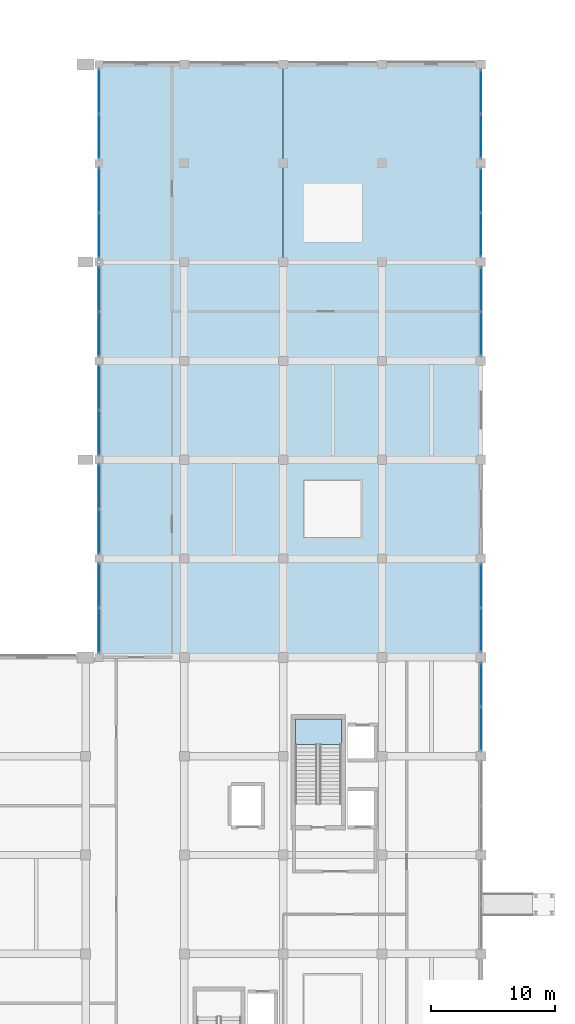
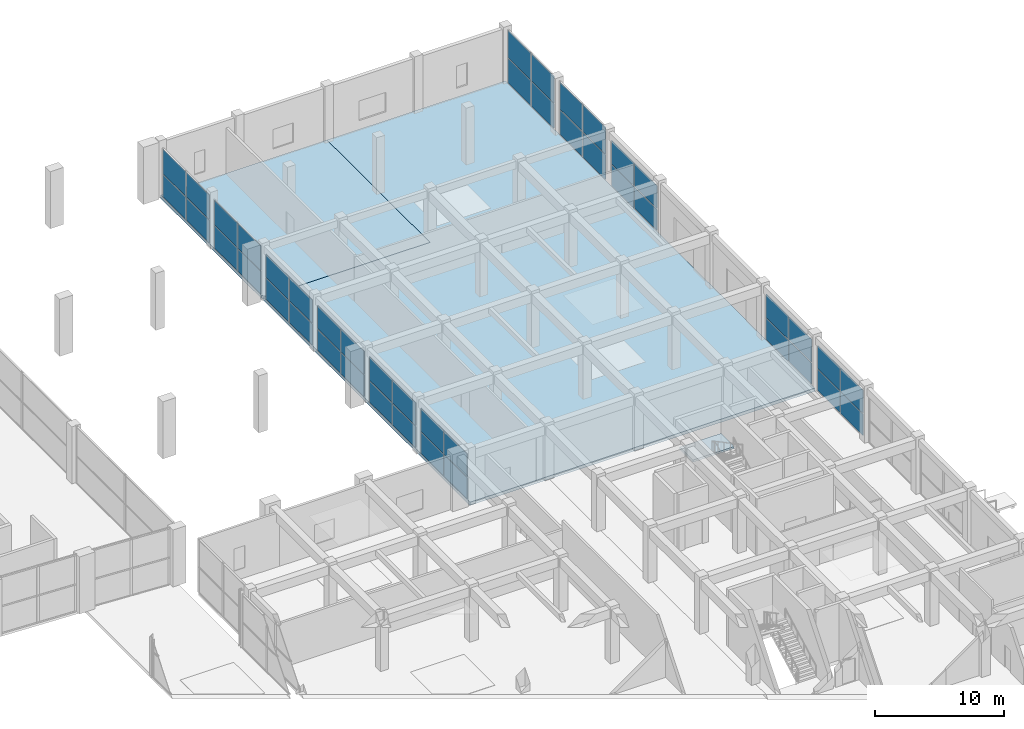
# One storey, part 53 of 86: 44 plates, 3 slabs, 12 elements without a shape of their own.
"""IFC4 building model written with IfcOpenShell, lengths in metres."""

from ifc_helpers import new_model, si_unit, direction, frame, origin, origin_2d, place, context, subcontext, project, spatial, polyline, rectangle, outline, extrude, material, layer, layer_set, type_object, element, aggregate, save


model = new_model("IFC4")

# Units and contexts
model_context = context("Model", 3, precision=1e-05, world=origin(), true_north=direction((0.0, 1.0)))
body_context = subcontext(model_context, "Body", "Model", "MODEL_VIEW")
ifc_project = project(units=[si_unit("LENGTHUNIT", "METRE"), si_unit("AREAUNIT", "SQUARE_METRE"), si_unit("VOLUMEUNIT", "CUBIC_METRE"), si_unit("PLANEANGLEUNIT", "RADIAN"), si_unit("MASSUNIT", "GRAM", prefix="KILO")], contexts=[model_context])

# Site, building, storey
site_placement = place(None, origin())
site = spatial("IfcSite", under=ifc_project, at=site_placement, CompositionType="ELEMENT")
building_placement = place(site_placement, origin())
building = spatial("IfcBuilding", under=site, at=building_placement, Name="Kenh Van Central Station", CompositionType="ELEMENT")
storey_placement = place(building_placement, origin())
storey = spatial("IfcBuildingStorey", under=building, at=storey_placement, Name="L00", CompositionType="ELEMENT", Elevation=0.0)

# Curtain wall, plates
ifc_material_1 = material(Name="Champagne anodised aluminium", Category="aluminium")
curtain_wall_type_1 = type_object("IfcCurtainWallType", Name="CW-OPER-B", PredefinedType="NOTDEFINED", material=ifc_material_1)
curtain_wall_1_placement = place(storey_placement, origin())
curtain_wall_1 = element("IfcCurtainWall", 1, at=curtain_wall_1_placement, inside=storey, type_object=curtain_wall_type_1, Name="L00 curtain wall 063", PredefinedType="NOTDEFINED")
ifc_material_2 = material(Name="Double-glazed low-E laminated solar glass", Category="glass")
ifc_layer_1 = layer(ifc_material_2, 0.030029296875, Name="Double-glazed low-E laminated solar glass")
ifc_layer_set_1 = layer_set([ifc_layer_1], Name="Double-glazed low-E laminated solar glass")
plate_type_1 = type_object("IfcPlateType", Name="CWP-IGU-30", PredefinedType="CURTAIN_PANEL", material=ifc_layer_set_1)
plate_1_placement = place(storey_placement, frame((145.10009765625, 109.8154296875, 0.072265625), z_axis=(0.0, 0.0, 1.0), x_axis=(0.0, -1.0, 0.0)))
plate_1 = element("IfcPlate", 2, at=plate_1_placement, type_object=plate_type_1, Name="CW-08 panel 1.1", PredefinedType="CURTAIN_PANEL", context=body_context, shape_type="SweptSolid", body=[
    extrude(rectangle(XDim=3.54296875, YDim=0.030029296875, at=origin_2d()), origin(), (0.0, 0.0, 1.0), 2.135986328125),
])
plate_2_placement = place(storey_placement, frame((145.10009765625, 109.8154296875, 2.2802734375), z_axis=(0.0, 0.0, 1.0), x_axis=(0.0, -1.0, 0.0)))
plate_2 = element("IfcPlate", 3, at=plate_2_placement, type_object=plate_type_1, Name="CW-08 panel 1.2", PredefinedType="CURTAIN_PANEL", context=body_context, shape_type="SweptSolid", body=[
    extrude(rectangle(XDim=3.54296875, YDim=0.030029296875, at=origin_2d()), origin(), (0.0, 0.0, 1.0), 2.322998046875),
])
plate_3_placement = place(storey_placement, frame((145.10009765625, 106.1845703125, 0.072265625), z_axis=(0.0, 0.0, 1.0), x_axis=(0.0, -1.0, 0.0)))
plate_3 = element("IfcPlate", 4, at=plate_3_placement, type_object=plate_type_1, Name="CW-08 panel 2.1", PredefinedType="CURTAIN_PANEL", context=body_context, shape_type="SweptSolid", body=[
    extrude(rectangle(XDim=3.54296875, YDim=0.030029296875, at=origin_2d()), origin(), (0.0, 0.0, 1.0), 2.135986328125),
])
plate_4_placement = place(storey_placement, frame((145.10009765625, 106.1845703125, 2.2802734375), z_axis=(0.0, 0.0, 1.0), x_axis=(0.0, -1.0, 0.0)))
plate_4 = element("IfcPlate", 5, at=plate_4_placement, type_object=plate_type_1, Name="CW-08 panel 2.2", PredefinedType="CURTAIN_PANEL", context=body_context, shape_type="SweptSolid", body=[
    extrude(rectangle(XDim=3.54296875, YDim=0.030029296875, at=origin_2d()), origin(), (0.0, 0.0, 1.0), 2.322998046875),
])
aggregate(curtain_wall_1, [plate_1, plate_2, plate_3, plate_4])

curtain_wall_2_placement = place(storey_placement, origin())
curtain_wall_2 = element("IfcCurtainWall", 6, at=curtain_wall_2_placement, inside=storey, type_object=curtain_wall_type_1, Name="L00 curtain wall 064", PredefinedType="NOTDEFINED")
plate_5_placement = place(storey_placement, frame((145.10009765625, 101.8154296875, 0.072265625), z_axis=(0.0, 0.0, 1.0), x_axis=(0.0, -1.0, 0.0)))
plate_5 = element("IfcPlate", 7, at=plate_5_placement, type_object=plate_type_1, Name="CW-08 panel 1.1", PredefinedType="CURTAIN_PANEL", context=body_context, shape_type="SweptSolid", body=[
    extrude(rectangle(XDim=3.54296875, YDim=0.030029296875, at=origin_2d()), origin(), (0.0, 0.0, 1.0), 2.135986328125),
])
plate_6_placement = place(storey_placement, frame((145.10009765625, 101.8154296875, 2.2802734375), z_axis=(0.0, 0.0, 1.0), x_axis=(0.0, -1.0, 0.0)))
plate_6 = element("IfcPlate", 8, at=plate_6_placement, type_object=plate_type_1, Name="CW-08 panel 1.2", PredefinedType="CURTAIN_PANEL", context=body_context, shape_type="SweptSolid", body=[
    extrude(rectangle(XDim=3.54296875, YDim=0.030029296875, at=origin_2d()), origin(), (0.0, 0.0, 1.0), 2.322998046875),
])
plate_7_placement = place(storey_placement, frame((145.10009765625, 98.1845703125, 0.072265625), z_axis=(0.0, 0.0, 1.0), x_axis=(0.0, -1.0, 0.0)))
plate_7 = element("IfcPlate", 9, at=plate_7_placement, type_object=plate_type_1, Name="CW-08 panel 2.1", PredefinedType="CURTAIN_PANEL", context=body_context, shape_type="SweptSolid", body=[
    extrude(rectangle(XDim=3.54296875, YDim=0.030029296875, at=origin_2d()), origin(), (0.0, 0.0, 1.0), 2.135986328125),
])
plate_8_placement = place(storey_placement, frame((145.10009765625, 98.1845703125, 2.2802734375), z_axis=(0.0, 0.0, 1.0), x_axis=(0.0, -1.0, 0.0)))
plate_8 = element("IfcPlate", 10, at=plate_8_placement, type_object=plate_type_1, Name="CW-08 panel 2.2", PredefinedType="CURTAIN_PANEL", context=body_context, shape_type="SweptSolid", body=[
    extrude(rectangle(XDim=3.54296875, YDim=0.030029296875, at=origin_2d()), origin(), (0.0, 0.0, 1.0), 2.322998046875),
])
aggregate(curtain_wall_2, [plate_5, plate_6, plate_7, plate_8])

curtain_wall_3_placement = place(storey_placement, origin())
curtain_wall_3 = element("IfcCurtainWall", 11, at=curtain_wall_3_placement, inside=storey, type_object=curtain_wall_type_1, Name="L00 curtain wall 065", PredefinedType="NOTDEFINED")
plate_9_placement = place(storey_placement, frame((145.10009765625, 93.8154296875, 0.072021484375), z_axis=(0.0, 0.0, 1.0), x_axis=(0.0, -1.0, 0.0)))
plate_9 = element("IfcPlate", 12, at=plate_9_placement, type_object=plate_type_1, Name="CW-08 panel 1.1", PredefinedType="CURTAIN_PANEL", context=body_context, shape_type="SweptSolid", body=[
    extrude(rectangle(XDim=3.54296875, YDim=0.030029296875, at=origin_2d()), origin(), (0.0, 0.0, 1.0), 2.013671875),
])
plate_10_placement = place(storey_placement, frame((145.10009765625, 93.8154296875, 2.157470703125), z_axis=(0.0, 0.0, 1.0), x_axis=(0.0, -1.0, 0.0)))
plate_10 = element("IfcPlate", 13, at=plate_10_placement, type_object=plate_type_1, Name="CW-08 panel 1.2", PredefinedType="CURTAIN_PANEL", context=body_context, shape_type="SweptSolid", body=[
    extrude(rectangle(XDim=3.54296875, YDim=0.030029296875, at=origin_2d()), origin(), (0.0, 0.0, 1.0), 2.1904296875),
])
plate_11_placement = place(storey_placement, frame((145.10009765625, 90.1845703125, 0.072021484375), z_axis=(0.0, 0.0, 1.0), x_axis=(0.0, -1.0, 0.0)))
plate_11 = element("IfcPlate", 14, at=plate_11_placement, type_object=plate_type_1, Name="CW-08 panel 2.1", PredefinedType="CURTAIN_PANEL", context=body_context, shape_type="SweptSolid", body=[
    extrude(rectangle(XDim=3.54296875, YDim=0.030029296875, at=origin_2d()), origin(), (0.0, 0.0, 1.0), 2.013671875),
])
plate_12_placement = place(storey_placement, frame((145.10009765625, 90.1845703125, 2.157470703125), z_axis=(0.0, 0.0, 1.0), x_axis=(0.0, -1.0, 0.0)))
plate_12 = element("IfcPlate", 15, at=plate_12_placement, type_object=plate_type_1, Name="CW-08 panel 2.2", PredefinedType="CURTAIN_PANEL", context=body_context, shape_type="SweptSolid", body=[
    extrude(rectangle(XDim=3.54296875, YDim=0.030029296875, at=origin_2d()), origin(), (0.0, 0.0, 1.0), 2.1904296875),
])
aggregate(curtain_wall_3, [plate_9, plate_10, plate_11, plate_12])

curtain_wall_4_placement = place(storey_placement, origin())
curtain_wall_4 = element("IfcCurtainWall", 16, at=curtain_wall_4_placement, inside=storey, type_object=curtain_wall_type_1, Name="L00 curtain wall 066", PredefinedType="NOTDEFINED")
plate_13_placement = place(storey_placement, frame((145.10009765625, 85.8154296875, 0.072021484375), z_axis=(0.0, 0.0, 1.0), x_axis=(0.0, -1.0, 0.0)))
plate_13 = element("IfcPlate", 17, at=plate_13_placement, type_object=plate_type_1, Name="CW-08 panel 1.1", PredefinedType="CURTAIN_PANEL", context=body_context, shape_type="SweptSolid", body=[
    extrude(rectangle(XDim=3.54296875, YDim=0.030029296875, at=origin_2d()), origin(), (0.0, 0.0, 1.0), 2.013671875),
])
plate_14_placement = place(storey_placement, frame((145.10009765625, 85.8154296875, 2.157470703125), z_axis=(0.0, 0.0, 1.0), x_axis=(0.0, -1.0, 0.0)))
plate_14 = element("IfcPlate", 18, at=plate_14_placement, type_object=plate_type_1, Name="CW-08 panel 1.2", PredefinedType="CURTAIN_PANEL", context=body_context, shape_type="SweptSolid", body=[
    extrude(rectangle(XDim=3.54296875, YDim=0.030029296875, at=origin_2d()), origin(), (0.0, 0.0, 1.0), 2.1904296875),
])
plate_15_placement = place(storey_placement, frame((145.10009765625, 82.1845703125, 0.072021484375), z_axis=(0.0, 0.0, 1.0), x_axis=(0.0, -1.0, 0.0)))
plate_15 = element("IfcPlate", 19, at=plate_15_placement, type_object=plate_type_1, Name="CW-08 panel 2.1", PredefinedType="CURTAIN_PANEL", context=body_context, shape_type="SweptSolid", body=[
    extrude(rectangle(XDim=3.54296875, YDim=0.030029296875, at=origin_2d()), origin(), (0.0, 0.0, 1.0), 2.013671875),
])
plate_16_placement = place(storey_placement, frame((145.10009765625, 82.1845703125, 2.157470703125), z_axis=(0.0, 0.0, 1.0), x_axis=(0.0, -1.0, 0.0)))
plate_16 = element("IfcPlate", 20, at=plate_16_placement, type_object=plate_type_1, Name="CW-08 panel 2.2", PredefinedType="CURTAIN_PANEL", context=body_context, shape_type="SweptSolid", body=[
    extrude(rectangle(XDim=3.54296875, YDim=0.030029296875, at=origin_2d()), origin(), (0.0, 0.0, 1.0), 2.1904296875),
])
aggregate(curtain_wall_4, [plate_13, plate_14, plate_15, plate_16])

curtain_wall_5_placement = place(storey_placement, origin())
curtain_wall_5 = element("IfcCurtainWall", 21, at=curtain_wall_5_placement, inside=storey, type_object=curtain_wall_type_1, Name="L00 curtain wall 067", PredefinedType="NOTDEFINED")
plate_17_placement = place(storey_placement, frame((145.10009765625, 77.8154296875, 0.072021484375), z_axis=(0.0, 0.0, 1.0), x_axis=(0.0, -1.0, 0.0)))
plate_17 = element("IfcPlate", 22, at=plate_17_placement, type_object=plate_type_1, Name="CW-08 panel 1.1", PredefinedType="CURTAIN_PANEL", context=body_context, shape_type="SweptSolid", body=[
    extrude(rectangle(XDim=3.54296875, YDim=0.030029296875, at=origin_2d()), origin(), (0.0, 0.0, 1.0), 2.013671875),
])
plate_18_placement = place(storey_placement, frame((145.10009765625, 77.8154296875, 2.157470703125), z_axis=(0.0, 0.0, 1.0), x_axis=(0.0, -1.0, 0.0)))
plate_18 = element("IfcPlate", 23, at=plate_18_placement, type_object=plate_type_1, Name="CW-08 panel 1.2", PredefinedType="CURTAIN_PANEL", context=body_context, shape_type="SweptSolid", body=[
    extrude(rectangle(XDim=3.54296875, YDim=0.030029296875, at=origin_2d()), origin(), (0.0, 0.0, 1.0), 2.1904296875),
])
plate_19_placement = place(storey_placement, frame((145.10009765625, 74.1845703125, 0.072021484375), z_axis=(0.0, 0.0, 1.0), x_axis=(0.0, -1.0, 0.0)))
plate_19 = element("IfcPlate", 24, at=plate_19_placement, type_object=plate_type_1, Name="CW-08 panel 2.1", PredefinedType="CURTAIN_PANEL", context=body_context, shape_type="SweptSolid", body=[
    extrude(rectangle(XDim=3.54296875, YDim=0.030029296875, at=origin_2d()), origin(), (0.0, 0.0, 1.0), 2.013671875),
])
plate_20_placement = place(storey_placement, frame((145.10009765625, 74.1845703125, 2.157470703125), z_axis=(0.0, 0.0, 1.0), x_axis=(0.0, -1.0, 0.0)))
plate_20 = element("IfcPlate", 25, at=plate_20_placement, type_object=plate_type_1, Name="CW-08 panel 2.2", PredefinedType="CURTAIN_PANEL", context=body_context, shape_type="SweptSolid", body=[
    extrude(rectangle(XDim=3.54296875, YDim=0.030029296875, at=origin_2d()), origin(), (0.0, 0.0, 1.0), 2.1904296875),
])
aggregate(curtain_wall_5, [plate_17, plate_18, plate_19, plate_20])

curtain_wall_6_placement = place(storey_placement, origin())
curtain_wall_6 = element("IfcCurtainWall", 26, at=curtain_wall_6_placement, inside=storey, type_object=curtain_wall_type_1, Name="L00 curtain wall 068", PredefinedType="NOTDEFINED")
plate_21_placement = place(storey_placement, frame((145.10009765625, 69.8154296875, 0.072021484375), z_axis=(0.0, 0.0, 1.0), x_axis=(0.0, -1.0, 0.0)))
plate_21 = element("IfcPlate", 27, at=plate_21_placement, type_object=plate_type_1, Name="CW-08 panel 1.1", PredefinedType="CURTAIN_PANEL", context=body_context, shape_type="SweptSolid", body=[
    extrude(rectangle(XDim=3.54296875, YDim=0.030029296875, at=origin_2d()), origin(), (0.0, 0.0, 1.0), 2.013671875),
])
plate_22_placement = place(storey_placement, frame((145.10009765625, 69.8154296875, 2.157470703125), z_axis=(0.0, 0.0, 1.0), x_axis=(0.0, -1.0, 0.0)))
plate_22 = element("IfcPlate", 28, at=plate_22_placement, type_object=plate_type_1, Name="CW-08 panel 1.2", PredefinedType="CURTAIN_PANEL", context=body_context, shape_type="SweptSolid", body=[
    extrude(rectangle(XDim=3.54296875, YDim=0.030029296875, at=origin_2d()), origin(), (0.0, 0.0, 1.0), 2.1904296875),
])
plate_23_placement = place(storey_placement, frame((145.10009765625, 66.1845703125, 0.072021484375), z_axis=(0.0, 0.0, 1.0), x_axis=(0.0, -1.0, 0.0)))
plate_23 = element("IfcPlate", 29, at=plate_23_placement, type_object=plate_type_1, Name="CW-08 panel 2.1", PredefinedType="CURTAIN_PANEL", context=body_context, shape_type="SweptSolid", body=[
    extrude(rectangle(XDim=3.54296875, YDim=0.030029296875, at=origin_2d()), origin(), (0.0, 0.0, 1.0), 2.013671875),
])
plate_24_placement = place(storey_placement, frame((145.10009765625, 66.1845703125, 2.157470703125), z_axis=(0.0, 0.0, 1.0), x_axis=(0.0, -1.0, 0.0)))
plate_24 = element("IfcPlate", 30, at=plate_24_placement, type_object=plate_type_1, Name="CW-08 panel 2.2", PredefinedType="CURTAIN_PANEL", context=body_context, shape_type="SweptSolid", body=[
    extrude(rectangle(XDim=3.54296875, YDim=0.030029296875, at=origin_2d()), origin(), (0.0, 0.0, 1.0), 2.1904296875),
])
aggregate(curtain_wall_6, [plate_21, plate_22, plate_23, plate_24])

curtain_wall_type_2 = type_object("IfcCurtainWallType", Name="CW-OPER-A", PredefinedType="NOTDEFINED", material=ifc_material_1)
curtain_wall_7_placement = place(storey_placement, origin())
curtain_wall_7 = element("IfcCurtainWall", 31, at=curtain_wall_7_placement, inside=storey, type_object=curtain_wall_type_2, Name="L00 curtain wall 058", PredefinedType="NOTDEFINED")
ifc_layer_2 = layer(ifc_material_2, 0.0380859375, Name="Double-glazed low-E laminated solar glass")
ifc_layer_set_2 = layer_set([ifc_layer_2], Name="Double-glazed low-E laminated solar glass")
plate_type_2 = type_object("IfcPlateType", Name="CWP-IGU-38", PredefinedType="CURTAIN_PANEL", material=ifc_layer_set_2)
plate_25_placement = place(storey_placement, frame((176.0, 58.221923828125, 0.072021484375), z_axis=(0.0, 0.0, 1.0), x_axis=(0.0, 1.0, 0.0)))
plate_25 = element("IfcPlate", 32, at=plate_25_placement, type_object=plate_type_2, Name="CW-07 panel 1.1", PredefinedType="CURTAIN_PANEL", context=body_context, shape_type="SweptSolid", body=[
    extrude(rectangle(XDim=3.468017578125, YDim=0.0380859375, at=origin_2d()), origin(), (0.0, 0.0, 1.0), 2.013671875),
])
plate_26_placement = place(storey_placement, frame((176.0, 58.221923828125, 2.157470703125), z_axis=(0.0, 0.0, 1.0), x_axis=(0.0, 1.0, 0.0)))
plate_26 = element("IfcPlate", 33, at=plate_26_placement, type_object=plate_type_2, Name="CW-07 panel 1.2", PredefinedType="CURTAIN_PANEL", context=body_context, shape_type="SweptSolid", body=[
    extrude(rectangle(XDim=3.468017578125, YDim=0.0380859375, at=origin_2d()), origin(), (0.0, 0.0, 1.0), 2.1904296875),
])
plate_27_placement = place(storey_placement, frame((176.0, 61.778076171875, 0.072021484375), z_axis=(0.0, 0.0, 1.0), x_axis=(0.0, 1.0, 0.0)))
plate_27 = element("IfcPlate", 34, at=plate_27_placement, type_object=plate_type_2, Name="CW-07 panel 2.1", PredefinedType="CURTAIN_PANEL", context=body_context, shape_type="SweptSolid", body=[
    extrude(rectangle(XDim=3.468017578125, YDim=0.0380859375, at=origin_2d()), origin(), (0.0, 0.0, 1.0), 2.013671875),
])
plate_28_placement = place(storey_placement, frame((176.0, 61.778076171875, 2.157470703125), z_axis=(0.0, 0.0, 1.0), x_axis=(0.0, 1.0, 0.0)))
plate_28 = element("IfcPlate", 35, at=plate_28_placement, type_object=plate_type_2, Name="CW-07 panel 2.2", PredefinedType="CURTAIN_PANEL", context=body_context, shape_type="SweptSolid", body=[
    extrude(rectangle(XDim=3.468017578125, YDim=0.0380859375, at=origin_2d()), origin(), (0.0, 0.0, 1.0), 2.1904296875),
])
aggregate(curtain_wall_7, [plate_25, plate_26, plate_27, plate_28])

curtain_wall_8_placement = place(storey_placement, origin())
curtain_wall_8 = element("IfcCurtainWall", 36, at=curtain_wall_8_placement, inside=storey, type_object=curtain_wall_type_2, Name="L00 curtain wall 059", PredefinedType="NOTDEFINED")
plate_29_placement = place(storey_placement, frame((176.0, 66.228271484375, 0.072021484375), z_axis=(0.0, 0.0, 1.0), x_axis=(0.0, 1.0, 0.0)))
plate_29 = element("IfcPlate", 37, at=plate_29_placement, type_object=plate_type_2, Name="CW-07 panel 1.1", PredefinedType="CURTAIN_PANEL", context=body_context, shape_type="SweptSolid", body=[
    extrude(rectangle(XDim=3.48046875, YDim=0.0380859375, at=origin_2d()), origin(), (0.0, 0.0, 1.0), 2.013671875),
])
plate_30_placement = place(storey_placement, frame((176.0, 66.228271484375, 2.157470703125), z_axis=(0.0, 0.0, 1.0), x_axis=(0.0, 1.0, 0.0)))
plate_30 = element("IfcPlate", 38, at=plate_30_placement, type_object=plate_type_2, Name="CW-07 panel 1.2", PredefinedType="CURTAIN_PANEL", context=body_context, shape_type="SweptSolid", body=[
    extrude(rectangle(XDim=3.48046875, YDim=0.0380859375, at=origin_2d()), origin(), (0.0, 0.0, 1.0), 2.1904296875),
])
plate_31_placement = place(storey_placement, frame((176.0, 69.796630859375, 0.072021484375), z_axis=(0.0, 0.0, 1.0), x_axis=(0.0, 1.0, 0.0)))
plate_31 = element("IfcPlate", 39, at=plate_31_placement, type_object=plate_type_2, Name="CW-07 panel 2.1", PredefinedType="CURTAIN_PANEL", context=body_context, shape_type="SweptSolid", body=[
    extrude(rectangle(XDim=3.48046875, YDim=0.0380859375, at=origin_2d()), origin(), (0.0, 0.0, 1.0), 2.013671875),
])
plate_32_placement = place(storey_placement, frame((176.0, 69.796630859375, 2.157470703125), z_axis=(0.0, 0.0, 1.0), x_axis=(0.0, 1.0, 0.0)))
plate_32 = element("IfcPlate", 40, at=plate_32_placement, type_object=plate_type_2, Name="CW-07 panel 2.2", PredefinedType="CURTAIN_PANEL", context=body_context, shape_type="SweptSolid", body=[
    extrude(rectangle(XDim=3.48046875, YDim=0.0380859375, at=origin_2d()), origin(), (0.0, 0.0, 1.0), 2.1904296875),
])
aggregate(curtain_wall_8, [plate_29, plate_30, plate_31, plate_32])

curtain_wall_9_placement = place(storey_placement, origin())
curtain_wall_9 = element("IfcCurtainWall", 41, at=curtain_wall_9_placement, inside=storey, type_object=curtain_wall_type_2, Name="L00 curtain wall 060", PredefinedType="NOTDEFINED")
plate_33_placement = place(storey_placement, frame((176.0, 90.20947265625, 0.072021484375), z_axis=(0.0, 0.0, 1.0), x_axis=(0.0, 1.0, 0.0)))
plate_33 = element("IfcPlate", 42, at=plate_33_placement, type_object=plate_type_2, Name="CW-07 panel 1.1", PredefinedType="CURTAIN_PANEL", context=body_context, shape_type="SweptSolid", body=[
    extrude(rectangle(XDim=3.492919921875, YDim=0.0380859375, at=origin_2d()), origin(), (0.0, 0.0, 1.0), 2.013671875),
])
plate_34_placement = place(storey_placement, frame((176.0, 90.20947265625, 2.157470703125), z_axis=(0.0, 0.0, 1.0), x_axis=(0.0, 1.0, 0.0)))
plate_34 = element("IfcPlate", 43, at=plate_34_placement, type_object=plate_type_2, Name="CW-07 panel 1.2", PredefinedType="CURTAIN_PANEL", context=body_context, shape_type="SweptSolid", body=[
    extrude(rectangle(XDim=3.492919921875, YDim=0.0380859375, at=origin_2d()), origin(), (0.0, 0.0, 1.0), 2.1904296875),
])
plate_35_placement = place(storey_placement, frame((176.0, 93.79052734375, 0.072021484375), z_axis=(0.0, 0.0, 1.0), x_axis=(0.0, 1.0, 0.0)))
plate_35 = element("IfcPlate", 44, at=plate_35_placement, type_object=plate_type_2, Name="CW-07 panel 2.1", PredefinedType="CURTAIN_PANEL", context=body_context, shape_type="SweptSolid", body=[
    extrude(rectangle(XDim=3.492919921875, YDim=0.0380859375, at=origin_2d()), origin(), (0.0, 0.0, 1.0), 2.013671875),
])
plate_36_placement = place(storey_placement, frame((176.0, 93.79052734375, 2.157470703125), z_axis=(0.0, 0.0, 1.0), x_axis=(0.0, 1.0, 0.0)))
plate_36 = element("IfcPlate", 45, at=plate_36_placement, type_object=plate_type_2, Name="CW-07 panel 2.2", PredefinedType="CURTAIN_PANEL", context=body_context, shape_type="SweptSolid", body=[
    extrude(rectangle(XDim=3.492919921875, YDim=0.0380859375, at=origin_2d()), origin(), (0.0, 0.0, 1.0), 2.1904296875),
])
aggregate(curtain_wall_9, [plate_33, plate_34, plate_35, plate_36])

curtain_wall_10_placement = place(storey_placement, origin())
curtain_wall_10 = element("IfcCurtainWall", 46, at=curtain_wall_10_placement, inside=storey, type_object=curtain_wall_type_2, Name="L00 curtain wall 061", PredefinedType="NOTDEFINED")
plate_37_placement = place(storey_placement, frame((176.0, 98.20947265625, 0.07177734375), z_axis=(0.0, 0.0, 1.0), x_axis=(0.0, 1.0, 0.0)))
plate_37 = element("IfcPlate", 47, at=plate_37_placement, type_object=plate_type_2, Name="CW-07 panel 1.1", PredefinedType="CURTAIN_PANEL", context=body_context, shape_type="SweptSolid", body=[
    extrude(rectangle(XDim=3.492919921875, YDim=0.0380859375, at=origin_2d()), origin(), (0.0, 0.0, 1.0), 2.340087890625),
])
plate_38_placement = place(storey_placement, frame((176.0, 98.20947265625, 2.484130859375), z_axis=(0.0, 0.0, 1.0), x_axis=(0.0, 1.0, 0.0)))
plate_38 = element("IfcPlate", 48, at=plate_38_placement, type_object=plate_type_2, Name="CW-07 panel 1.2", PredefinedType="CURTAIN_PANEL", context=body_context, shape_type="SweptSolid", body=[
    extrude(rectangle(XDim=3.492919921875, YDim=0.0380859375, at=origin_2d()), origin(), (0.0, 0.0, 1.0), 2.5439453125),
])
plate_39_placement = place(storey_placement, frame((176.0, 101.79052734375, 0.07177734375), z_axis=(0.0, 0.0, 1.0), x_axis=(0.0, 1.0, 0.0)))
plate_39 = element("IfcPlate", 49, at=plate_39_placement, type_object=plate_type_2, Name="CW-07 panel 2.1", PredefinedType="CURTAIN_PANEL", context=body_context, shape_type="SweptSolid", body=[
    extrude(rectangle(XDim=3.492919921875, YDim=0.0380859375, at=origin_2d()), origin(), (0.0, 0.0, 1.0), 2.340087890625),
])
plate_40_placement = place(storey_placement, frame((176.0, 101.79052734375, 2.484130859375), z_axis=(0.0, 0.0, 1.0), x_axis=(0.0, 1.0, 0.0)))
plate_40 = element("IfcPlate", 50, at=plate_40_placement, type_object=plate_type_2, Name="CW-07 panel 2.2", PredefinedType="CURTAIN_PANEL", context=body_context, shape_type="SweptSolid", body=[
    extrude(rectangle(XDim=3.492919921875, YDim=0.0380859375, at=origin_2d()), origin(), (0.0, 0.0, 1.0), 2.5439453125),
])
aggregate(curtain_wall_10, [plate_37, plate_38, plate_39, plate_40])

curtain_wall_11_placement = place(storey_placement, origin())
curtain_wall_11 = element("IfcCurtainWall", 51, at=curtain_wall_11_placement, inside=storey, type_object=curtain_wall_type_2, Name="L00 curtain wall 062", PredefinedType="NOTDEFINED")
plate_41_placement = place(storey_placement, frame((176.0, 106.20947265625, 0.07177734375), z_axis=(0.0, 0.0, 1.0), x_axis=(0.0, 1.0, 0.0)))
plate_41 = element("IfcPlate", 52, at=plate_41_placement, type_object=plate_type_2, Name="CW-07 panel 1.1", PredefinedType="CURTAIN_PANEL", context=body_context, shape_type="SweptSolid", body=[
    extrude(rectangle(XDim=3.492919921875, YDim=0.0380859375, at=origin_2d()), origin(), (0.0, 0.0, 1.0), 2.340087890625),
])
plate_42_placement = place(storey_placement, frame((176.0, 106.20947265625, 2.484130859375), z_axis=(0.0, 0.0, 1.0), x_axis=(0.0, 1.0, 0.0)))
plate_42 = element("IfcPlate", 53, at=plate_42_placement, type_object=plate_type_2, Name="CW-07 panel 1.2", PredefinedType="CURTAIN_PANEL", context=body_context, shape_type="SweptSolid", body=[
    extrude(rectangle(XDim=3.492919921875, YDim=0.0380859375, at=origin_2d()), origin(), (0.0, 0.0, 1.0), 2.5439453125),
])
plate_43_placement = place(storey_placement, frame((176.0, 109.79052734375, 0.07177734375), z_axis=(0.0, 0.0, 1.0), x_axis=(0.0, 1.0, 0.0)))
plate_43 = element("IfcPlate", 54, at=plate_43_placement, type_object=plate_type_2, Name="CW-07 panel 2.1", PredefinedType="CURTAIN_PANEL", context=body_context, shape_type="SweptSolid", body=[
    extrude(rectangle(XDim=3.492919921875, YDim=0.0380859375, at=origin_2d()), origin(), (0.0, 0.0, 1.0), 2.340087890625),
])
plate_44_placement = place(storey_placement, frame((176.0, 109.79052734375, 2.484130859375), z_axis=(0.0, 0.0, 1.0), x_axis=(0.0, 1.0, 0.0)))
plate_44 = element("IfcPlate", 55, at=plate_44_placement, type_object=plate_type_2, Name="CW-07 panel 2.2", PredefinedType="CURTAIN_PANEL", context=body_context, shape_type="SweptSolid", body=[
    extrude(rectangle(XDim=3.492919921875, YDim=0.0380859375, at=origin_2d()), origin(), (0.0, 0.0, 1.0), 2.5439453125),
])
aggregate(curtain_wall_11, [plate_41, plate_42, plate_43, plate_44])

# Slabs
ifc_material_3 = material(Name="Concrete C35/45", Category="concrete")
ifc_layer_3 = layer(ifc_material_3, 0.300048828125, Name="Concrete C35/45")
ifc_layer_set_3 = layer_set([ifc_layer_3], Name="Concrete C35/45")
slab_type_1 = type_object("IfcSlabType", Name="SLB-FLR-300", PredefinedType="FLOOR", material=ifc_layer_set_3)
slab_1_placement = place(storey_placement, frame((0.0, 0.0, -0.300048828125)))
element("IfcSlab", 56, at=slab_1_placement, inside=storey, type_object=slab_type_1, Name="L00 slab SLB-L00-EC", PredefinedType="FLOOR", context=body_context, shape_type="SweptSolid", body=[
    extrude(outline(polyline([(145.10009765625, 64.0), (176.0, 64.0), (176.0, 112.0), (160.0, 112.0), (160.0, 96.0), (145.10009765625, 96.0), (145.10009765625, 64.0)])), origin(), (0.0, 0.0, 1.0), 0.300048828125),
])
slab_2_placement = place(storey_placement, frame((0.0, 0.0, -0.300048828125)))
element("IfcSlab", 57, at=slab_2_placement, inside=storey, type_object=slab_type_1, Name="L00 slab SLB-L00-ED", PredefinedType="FLOOR", context=body_context, shape_type="SweptSolid", body=[
    extrude(outline(polyline([(145.39990234375, 96.0), (160.0, 96.0), (160.0, 112.0), (145.10009765625, 112.0), (145.10009765625, 96.300048828125), (145.39990234375, 96.0)])), origin(), (0.0, 0.0, 1.0), 0.300048828125),
])

# Stair, slab
stair_type = type_object("IfcStairType", Name="STR-DLG-1750", PredefinedType="HALF_TURN_STAIR", material=ifc_material_3)
stair_placement = place(storey_placement, origin())
stair = element("IfcStair", 58, at=stair_placement, inside=storey, type_object=stair_type, Name="L00 Operations North Firefighting and Goods Core", PredefinedType="HALF_TURN_STAIR")
ifc_layer_4 = layer(ifc_material_3, 0.199951171875, Name="Concrete C35/45")
ifc_layer_set_4 = layer_set([ifc_layer_4], Name="Concrete C35/45")
slab_type_2 = type_object("IfcSlabType", Name="SLB-LAND-200", PredefinedType="LANDING", material=ifc_layer_set_4)
slab_3_placement = place(storey_placement, frame((0.0, 0.0, 2.5)))
slab_3 = element("IfcSlab", 59, at=slab_3_placement, type_object=slab_type_2, Name="ST-10 landing 1", PredefinedType="LANDING", context=body_context, shape_type="SweptSolid", body=[
    extrude(outline(polyline([(164.699951171875, 56.949951171875), (164.699951171875, 59.0), (161.0, 59.0), (161.0, 56.949951171875), (164.699951171875, 56.949951171875)])), origin(), (0.0, 0.0, 1.0), 0.199951171875),
])
aggregate(stair, [slab_3])

save(model, "model.ifc")
